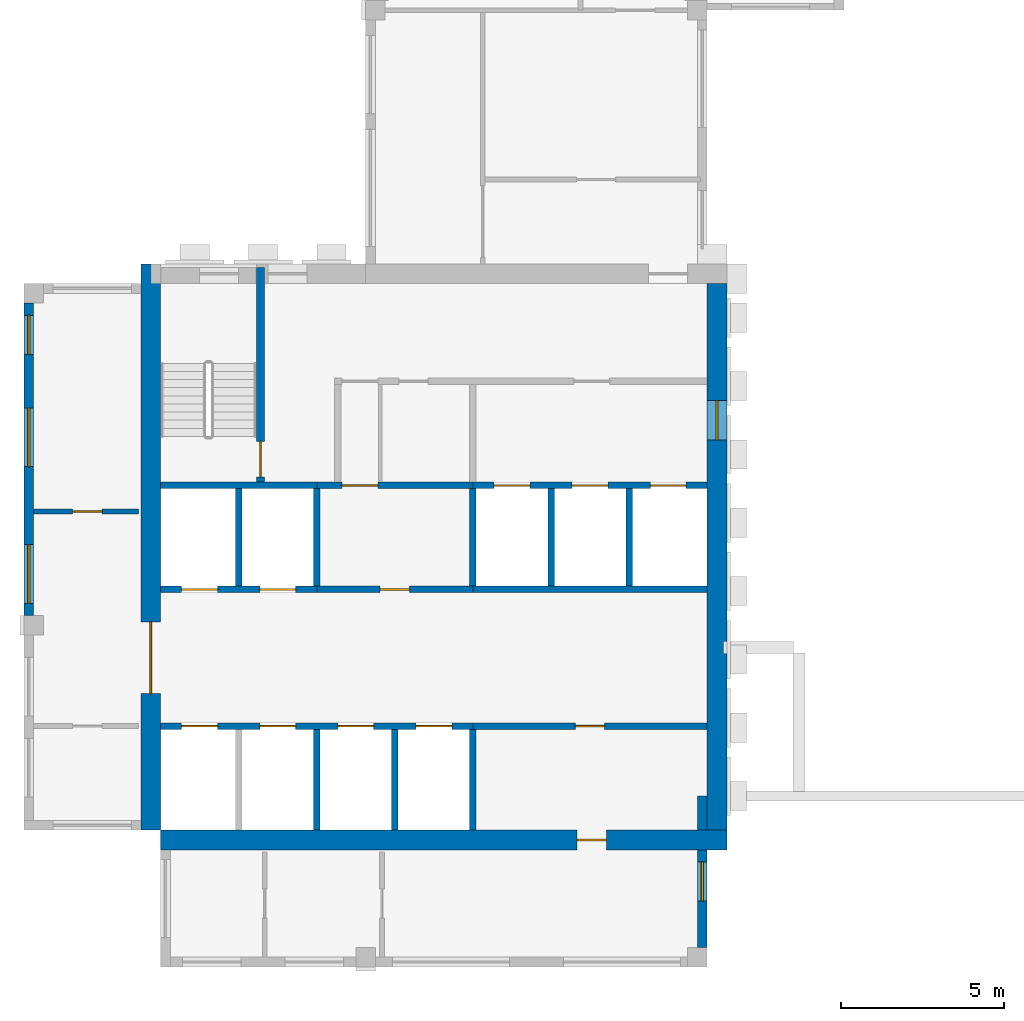
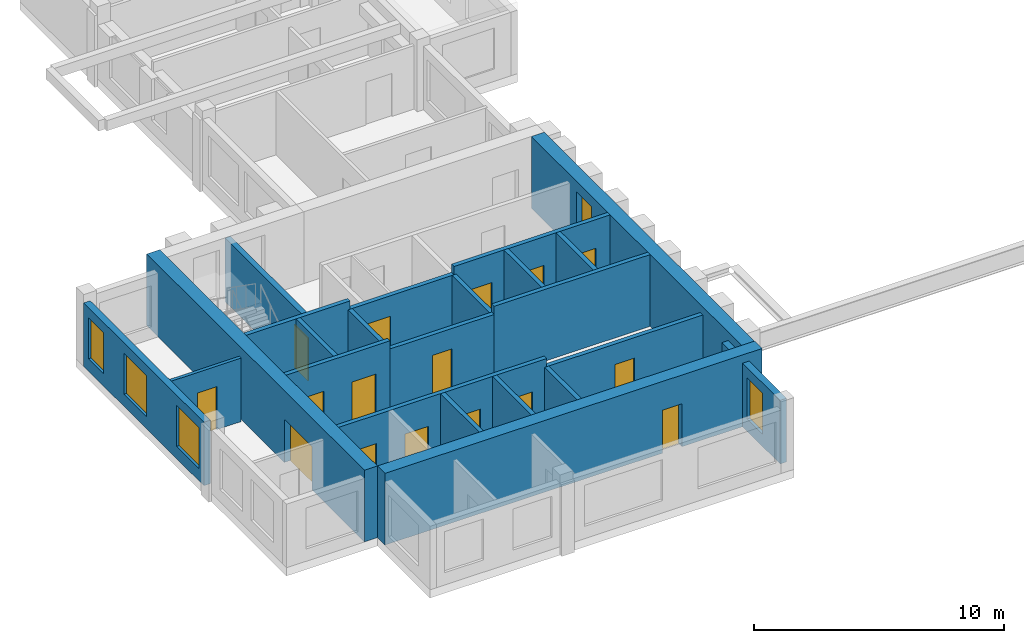
# One storey, part 2 of 8: 24 walls, 16 doors, 5 windows, 21 openings.
"""IFC4 building model written with IfcOpenShell, lengths in metres."""

from ifc_helpers import new_model, si_unit, direction, frame, frame_2d, origin, place, context, subcontext, project, spatial, rectangle, extrude, source, transform, mapped, material, layer, layer_set, type_object, element, fill, save


model = new_model("IFC4")

# Units and contexts
model_context = context("Model", 3, precision=1e-05, world=origin(), true_north=direction((0.0, 1.0)))
body_context = subcontext(model_context, "Body", "Model", "MODEL_VIEW")
ifc_project = project(units=[si_unit("LENGTHUNIT", "METRE"), si_unit("AREAUNIT", "SQUARE_METRE"), si_unit("VOLUMEUNIT", "CUBIC_METRE"), si_unit("PLANEANGLEUNIT", "RADIAN"), si_unit("MASSUNIT", "GRAM", prefix="KILO")], contexts=[model_context])

# Site, building, storey
site_placement = place(None, origin())
site = spatial("IfcSite", under=ifc_project, at=site_placement, CompositionType="ELEMENT")
building_placement = place(site_placement, origin())
building = spatial("IfcBuilding", under=site, at=building_placement, Name="Aurelian Terraces", CompositionType="ELEMENT")
storey_placement = place(building_placement, frame((0.0, 0.0, 344.0)))
storey = spatial("IfcBuildingStorey", under=building, at=storey_placement, Name="L81", CompositionType="ELEMENT", Elevation=344.0)

# Wall, opening, door
ifc_material_1 = material(Name="Concrete fc' 55 MPa", Category="concrete")
ifc_layer_1 = layer(ifc_material_1, 0.6)
ifc_layer_set_1 = layer_set([ifc_layer_1], Name="CORE WALL 600 FC55")
wall_type_1 = type_object("IfcWallType", Name="CORE WALL 600 FC55", PredefinedType="SHEAR", material=ifc_layer_set_1)
shared_shape_1 = source(origin(), body_context, "Body", "SweptSolid", [
    extrude(rectangle(XDim=17.4, YDim=0.6, at=frame_2d((8.7, 0.0))), origin(), (0.0, 0.0, 1.0), 3.5),
])
wall_1_placement = place(storey_placement, frame((3.9, 4.2, 0.0), z_axis=(0.0, 0.0, 1.0), x_axis=(0.0, 1.0, 0.0)))
wall_1 = element("IfcWall", 1, at=wall_1_placement, inside=storey, type_object=wall_type_1, Name="Core wall W L81", PredefinedType="SHEAR", context=body_context, shape_type="MappedRepresentation", body=[
    mapped(shared_shape_1, transform((0.0, 0.0, 0.0), scale=1.0)),
])
shared_shape_2 = source(origin(), body_context, "Body", "SweptSolid", [
    extrude(rectangle(XDim=2.2, YDim=2.1, at=frame_2d((1.1, 1.05))), frame((0.0, 0.31, 0.0), z_axis=(0.0, -1.0, 0.0), x_axis=(1.0, 0.0, 0.0)), (0.0, 0.0, 1.0), 0.62),
])
opening_1_placement = place(wall_1_placement, frame((4.2, 0.0, 0.0)))
opening_1 = element("IfcOpeningElement", 2, at=opening_1_placement, cuts=wall_1, Name="Opening 68420", PredefinedType="OPENING", context=body_context, shape_type="MappedRepresentation", body=[
    mapped(shared_shape_2, transform((0.0, 0.0, 0.0), scale=1.0)),
])
ifc_material_2 = material(Name="Steel door leaf", Category="steel")
door_type_1 = type_object("IfcDoorType", Name="Core double door 2200x2100", OperationType="DOUBLE_DOOR_SINGLE_SWING", PredefinedType="DOOR", material=ifc_material_2)
shared_shape_3 = source(origin(), body_context, "Body", "SweptSolid", [
    extrude(rectangle(XDim=2.2, YDim=2.1, at=frame_2d((1.1, 1.05))), frame((0.0, 0.025, 0.0), z_axis=(0.0, -1.0, 0.0), x_axis=(1.0, 0.0, 0.0)), (0.0, 0.0, 1.0), 0.05),
])
door_1_placement = place(opening_1_placement, origin())
door_1 = element("IfcDoor", 3, at=door_1_placement, inside=storey, type_object=door_type_1, Name="Core door 68420", OperationType="DOUBLE_DOOR_SINGLE_SWING", OverallHeight=2.1, OverallWidth=2.2, PredefinedType="DOOR", context=body_context, shape_type="MappedRepresentation", body=[
    mapped(shared_shape_3, transform((0.0, 0.0, 0.0), scale=1.0)),
])
fill(opening_1, door_1)

wall_2_placement = place(storey_placement, frame((4.2, 3.9, 0.0), z_axis=(0.0, 0.0, 1.0), x_axis=(1.0, 0.0, 0.0)))
wall_2 = element("IfcWall", 4, at=wall_2_placement, inside=storey, type_object=wall_type_1, Name="Core wall S L81", PredefinedType="SHEAR", context=body_context, shape_type="MappedRepresentation", body=[
    mapped(shared_shape_1, transform((0.0, 0.0, 0.0), scale=1.0)),
])
shared_shape_4 = source(origin(), body_context, "Body", "SweptSolid", [
    extrude(rectangle(XDim=0.9, YDim=2.1, at=frame_2d((0.45, 1.05))), frame((0.0, 0.31, 0.0), z_axis=(0.0, -1.0, 0.0), x_axis=(1.0, 0.0, 0.0)), (0.0, 0.0, 1.0), 0.62),
])
opening_2_placement = place(wall_2_placement, frame((12.8, 0.0, 0.0)))
opening_2 = element("IfcOpeningElement", 5, at=opening_2_placement, cuts=wall_2, Name="Opening 68422", PredefinedType="OPENING", context=body_context, shape_type="MappedRepresentation", body=[
    mapped(shared_shape_4, transform((0.0, 0.0, 0.0), scale=1.0)),
])
door_type_2 = type_object("IfcDoorType", Name="Core service door 900x2100", OperationType="SINGLE_SWING_LEFT", PredefinedType="DOOR", material=ifc_material_2)
shared_shape_5 = source(origin(), body_context, "Body", "SweptSolid", [
    extrude(rectangle(XDim=0.9, YDim=2.1, at=frame_2d((0.45, 1.05))), frame((0.0, 0.025, 0.0), z_axis=(0.0, -1.0, 0.0), x_axis=(1.0, 0.0, 0.0)), (0.0, 0.0, 1.0), 0.05),
])
door_2_placement = place(opening_2_placement, origin())
door_2 = element("IfcDoor", 6, at=door_2_placement, inside=storey, type_object=door_type_2, Name="Core door 68422", OperationType="SINGLE_SWING_LEFT", OverallHeight=2.1, OverallWidth=0.9, PredefinedType="DOOR", context=body_context, shape_type="MappedRepresentation", body=[
    mapped(shared_shape_5, transform((0.0, 0.0, 0.0), scale=1.0)),
])
fill(opening_2, door_2)

# Wall, opening, window
shared_shape_6 = source(origin(), body_context, "Body", "SweptSolid", [
    extrude(rectangle(XDim=16.8, YDim=0.6, at=frame_2d((8.4, 0.0))), origin(), (0.0, 0.0, 1.0), 3.5),
])
wall_3_placement = place(storey_placement, frame((21.3, 4.2, 0.0), z_axis=(0.0, 0.0, 1.0), x_axis=(0.0, 1.0, 0.0)))
wall_3 = element("IfcWall", 7, at=wall_3_placement, inside=storey, type_object=wall_type_1, Name="Core wall E L81 exposed", PredefinedType="SHEAR", context=body_context, shape_type="MappedRepresentation", body=[
    mapped(shared_shape_6, transform((0.0, 0.0, 0.0), scale=1.0)),
])
shared_shape_7 = source(origin(), body_context, "Body", "SweptSolid", [
    extrude(rectangle(XDim=1.2, YDim=2.4, at=frame_2d((0.6, 1.2))), frame((0.0, 0.31, 0.0), z_axis=(0.0, -1.0, 0.0), x_axis=(1.0, 0.0, 0.0)), (0.0, 0.0, 1.0), 0.62),
])
opening_3_placement = place(wall_3_placement, frame((12.0, 0.0, 0.6)))
opening_3 = element("IfcOpeningElement", 8, at=opening_3_placement, cuts=wall_3, Name="Opening W-CL", PredefinedType="OPENING", context=body_context, shape_type="MappedRepresentation", body=[
    mapped(shared_shape_7, transform((0.0, 0.0, 0.0), scale=1.0)),
])
ifc_material_3 = material(Name="Fire-resisting glazing", Category="glass")
window_type_1 = type_object("IfcWindowType", Name="Core lobby window 1200x2400", PartitioningType="SINGLE_PANEL", PredefinedType="WINDOW", material=ifc_material_3)
shared_shape_8 = source(origin(), body_context, "Body", "SweptSolid", [
    extrude(rectangle(XDim=1.2, YDim=2.4, at=frame_2d((0.6, 1.2))), frame((0.0, 0.03, 0.0), z_axis=(0.0, -1.0, 0.0), x_axis=(1.0, 0.0, 0.0)), (0.0, 0.0, 1.0), 0.06),
])
window_1_placement = place(opening_3_placement, origin())
window_1 = element("IfcWindow", 9, at=window_1_placement, inside=storey, type_object=window_type_1, Name="Lobby window L81 E52", OverallHeight=2.4, OverallWidth=1.2, PartitioningType="SINGLE_PANEL", PredefinedType="WINDOW", context=body_context, shape_type="MappedRepresentation", body=[
    mapped(shared_shape_8, transform((0.0, 0.0, 0.0), scale=1.0)),
])
fill(opening_3, window_1)

# Wall
ifc_material_4 = material(Name="Terracotta rainscreen cladding", Category="masonry")
ifc_layer_2 = layer(ifc_material_4, 0.3)
ifc_layer_set_2 = layer_set([ifc_layer_2], Name="EW-300")
wall_type_2 = type_object("IfcWallType", Name="EW-300", PredefinedType="STANDARD", material=ifc_layer_set_2)
shared_shape_9 = source(origin(), body_context, "Body", "SweptSolid", [
    extrude(rectangle(XDim=1.05, YDim=0.3, at=frame_2d((0.525, 0.0))), origin(), (0.0, 0.0, 1.0), 3.1),
])
wall_4_placement = place(storey_placement, frame((20.85, 4.2, 0.0), z_axis=(0.0, 0.0, 1.0), x_axis=(0.0, 1.0, 0.0)))
element("IfcWall", 10, at=wall_4_placement, inside=storey, type_object=wall_type_2, Name="External wall L81 F02.3", PredefinedType="STANDARD", context=body_context, shape_type="MappedRepresentation", body=[
    mapped(shared_shape_9, transform((0.0, 0.0, 0.0), scale=1.0)),
])

# Wall, opening, window
shared_shape_10 = source(origin(), body_context, "Body", "SweptSolid", [
    extrude(rectangle(XDim=3.0, YDim=0.3, at=frame_2d((1.5, 0.0))), origin(), (0.0, 0.0, 1.0), 3.1),
])
wall_5_placement = place(storey_placement, frame((20.85, 0.6, 0.0), z_axis=(0.0, 0.0, 1.0), x_axis=(0.0, 1.0, 0.0)))
wall_5 = element("IfcWall", 11, at=wall_5_placement, inside=storey, type_object=wall_type_2, Name="External wall L81 F02.3", PredefinedType="STANDARD", context=body_context, shape_type="MappedRepresentation", body=[
    mapped(shared_shape_10, transform((0.0, 0.0, 0.0), scale=1.0)),
])
shared_shape_11 = source(origin(), body_context, "Body", "SweptSolid", [
    extrude(rectangle(XDim=1.2, YDim=2.0, at=frame_2d((0.6, 1.0))), frame((0.0, 0.16, 0.0), z_axis=(0.0, -1.0, 0.0), x_axis=(1.0, 0.0, 0.0)), (0.0, 0.0, 1.0), 0.32),
])
opening_4_placement = place(wall_5_placement, frame((1.425, 0.0, 0.6)))
opening_4 = element("IfcOpeningElement", 12, at=opening_4_placement, cuts=wall_5, Name="Opening W1220", PredefinedType="OPENING", context=body_context, shape_type="MappedRepresentation", body=[
    mapped(shared_shape_11, transform((0.0, 0.0, 0.0), scale=1.0)),
])
ifc_material_5 = material(Name="Clear glazing", Category="glass")
window_type_2 = type_object("IfcWindowType", Name="W-1200x2000", PartitioningType="SINGLE_PANEL", PredefinedType="WINDOW", material=ifc_material_5)
shared_shape_12 = source(origin(), body_context, "Body", "SweptSolid", [
    extrude(rectangle(XDim=1.2, YDim=2.0, at=frame_2d((0.6, 1.0))), frame((0.0, 0.03, 0.0), z_axis=(0.0, -1.0, 0.0), x_axis=(1.0, 0.0, 0.0)), (0.0, 0.0, 1.0), 0.06),
])
window_2_placement = place(opening_4_placement, origin())
window_2 = element("IfcWindow", 13, at=window_2_placement, inside=storey, type_object=window_type_2, Name="Window L81 L81-F02-03-0", OverallHeight=2.0, OverallWidth=1.2, PartitioningType="SINGLE_PANEL", PredefinedType="WINDOW", context=body_context, shape_type="MappedRepresentation", body=[
    mapped(shared_shape_12, transform((0.0, 0.0, 0.0), scale=1.0)),
])
fill(opening_4, window_2)

# Wall, openings, windows
shared_shape_13 = source(origin(), body_context, "Body", "SweptSolid", [
    extrude(rectangle(XDim=9.6, YDim=0.3, at=frame_2d((4.8, 0.0))), origin(), (0.0, 0.0, 1.0), 3.1),
])
wall_6_placement = place(storey_placement, frame((0.15, 20.4, 0.0), z_axis=(0.0, 0.0, 1.0), x_axis=(0.0, -1.0, 0.0)))
wall_6 = element("IfcWall", 14, at=wall_6_placement, inside=storey, type_object=wall_type_2, Name="External wall L81 F10.16", PredefinedType="STANDARD", context=body_context, shape_type="MappedRepresentation", body=[
    mapped(shared_shape_13, transform((0.0, 0.0, 0.0), scale=1.0)),
])
opening_5_placement = place(wall_6_placement, frame((0.375, 0.0, 0.6)))
opening_5 = element("IfcOpeningElement", 15, at=opening_5_placement, cuts=wall_6, Name="Opening W1220", PredefinedType="OPENING", context=body_context, shape_type="MappedRepresentation", body=[
    mapped(shared_shape_11, transform((0.0, 0.0, 0.0), scale=1.0)),
])
shared_shape_14 = source(origin(), body_context, "Body", "SweptSolid", [
    extrude(rectangle(XDim=1.8, YDim=2.0, at=frame_2d((0.9, 1.0))), frame((0.0, 0.16, 0.0), z_axis=(0.0, -1.0, 0.0), x_axis=(1.0, 0.0, 0.0)), (0.0, 0.0, 1.0), 0.32),
])
opening_6_placement = place(wall_6_placement, frame((3.225, 0.0, 0.6)))
opening_6 = element("IfcOpeningElement", 16, at=opening_6_placement, cuts=wall_6, Name="Opening W1820", PredefinedType="OPENING", context=body_context, shape_type="MappedRepresentation", body=[
    mapped(shared_shape_14, transform((0.0, 0.0, 0.0), scale=1.0)),
])
opening_7_placement = place(wall_6_placement, frame((7.425, 0.0, 0.6)))
opening_7 = element("IfcOpeningElement", 17, at=opening_7_placement, cuts=wall_6, Name="Opening W1820", PredefinedType="OPENING", context=body_context, shape_type="MappedRepresentation", body=[
    mapped(shared_shape_14, transform((0.0, 0.0, 0.0), scale=1.0)),
])
window_3_placement = place(opening_5_placement, origin())
window_3 = element("IfcWindow", 18, at=window_3_placement, inside=storey, type_object=window_type_2, Name="Window L81 L81-F10-16-0", OverallHeight=2.0, OverallWidth=1.2, PartitioningType="SINGLE_PANEL", PredefinedType="WINDOW", context=body_context, shape_type="MappedRepresentation", body=[
    mapped(shared_shape_12, transform((0.0, 0.0, 0.0), scale=1.0)),
])
fill(opening_5, window_3)
window_type_3 = type_object("IfcWindowType", Name="W-1800x2000", PartitioningType="SINGLE_PANEL", PredefinedType="WINDOW", material=ifc_material_5)
shared_shape_15 = source(origin(), body_context, "Body", "SweptSolid", [
    extrude(rectangle(XDim=1.8, YDim=2.0, at=frame_2d((0.9, 1.0))), frame((0.0, 0.03, 0.0), z_axis=(0.0, -1.0, 0.0), x_axis=(1.0, 0.0, 0.0)), (0.0, 0.0, 1.0), 0.06),
])
window_4_placement = place(opening_6_placement, origin())
window_4 = element("IfcWindow", 19, at=window_4_placement, inside=storey, type_object=window_type_3, Name="Window L81 L81-F10-16-1", OverallHeight=2.0, OverallWidth=1.8, PartitioningType="SINGLE_PANEL", PredefinedType="WINDOW", context=body_context, shape_type="MappedRepresentation", body=[
    mapped(shared_shape_15, transform((0.0, 0.0, 0.0), scale=1.0)),
])
fill(opening_6, window_4)
window_5_placement = place(opening_7_placement, origin())
window_5 = element("IfcWindow", 20, at=window_5_placement, inside=storey, type_object=window_type_3, Name="Window L81 L81-F10-16-2", OverallHeight=2.0, OverallWidth=1.8, PartitioningType="SINGLE_PANEL", PredefinedType="WINDOW", context=body_context, shape_type="MappedRepresentation", body=[
    mapped(shared_shape_15, transform((0.0, 0.0, 0.0), scale=1.0)),
])
fill(opening_7, window_5)

# Walls
ifc_material_6 = material(Name="Concrete fc' 40 MPa", Category="concrete")
ifc_layer_3 = layer(ifc_material_6, 0.2)
ifc_layer_set_3 = layer_set([ifc_layer_3], Name="Lift shaft wall 200")
wall_type_3 = type_object("IfcWallType", Name="Lift shaft wall 200", PredefinedType="SOLIDWALL", material=ifc_layer_set_3)
shared_shape_16 = source(origin(), body_context, "Body", "SweptSolid", [
    extrude(rectangle(XDim=3.1, YDim=0.2, at=frame_2d((1.55, 0.0))), origin(), (0.0, 0.0, 1.0), 3.5),
])
for number, where, z_axis, x_axis, name in (
    (21, (9.0, 4.2, 0.0), (0.0, 0.0, 1.0), (0.0, 1.0, 0.0), "L81 core wall CD-A2"),
    (22, (11.4, 4.2, 0.0), (0.0, 0.0, 1.0), (0.0, 1.0, 0.0), "L81 core wall CD-A3"),
):
    element("IfcWall", number, at=place(storey_placement, frame(where, z_axis=z_axis, x_axis=x_axis)), inside=storey, type_object=wall_type_3, Name=name, PredefinedType="SOLIDWALL", context=body_context, shape_type="MappedRepresentation", body=[
        mapped(shared_shape_16, transform((0.0, 0.0, 0.0), scale=1.0)),
    ])
shared_shape_17 = source(origin(), body_context, "Body", "SweptSolid", [
    extrude(rectangle(XDim=3.1, YDim=0.2, at=frame_2d((1.55, 0.0))), origin(), (0.0, 0.0, 1.0), 3.1),
])
wall_7_placement = place(storey_placement, frame((13.8, 4.2, 0.0), z_axis=(0.0, 0.0, 1.0), x_axis=(0.0, 1.0, 0.0)))
element("IfcWall", 23, at=wall_7_placement, inside=storey, type_object=wall_type_3, Name="L81 core wall CD-A4", PredefinedType="SOLIDWALL", context=body_context, shape_type="MappedRepresentation", body=[
    mapped(shared_shape_17, transform((0.0, 0.0, 0.0), scale=1.0)),
])
shared_shape_18 = source(origin(), body_context, "Body", "SweptSolid", [
    extrude(rectangle(XDim=3.0, YDim=0.2, at=frame_2d((1.5, 0.0))), origin(), (0.0, 0.0, 1.0), 3.1),
])
for number, where, z_axis, x_axis, name in (
    (24, (9.0, 11.7, 0.0), (0.0, 0.0, 1.0), (0.0, 1.0, 0.0), "L81 core wall CD-B2"),
    (25, (13.8, 11.7, 0.0), (0.0, 0.0, 1.0), (0.0, 1.0, 0.0), "L81 core wall CD-B4"),
):
    element("IfcWall", number, at=place(storey_placement, frame(where, z_axis=z_axis, x_axis=x_axis)), inside=storey, type_object=wall_type_3, Name=name, PredefinedType="SOLIDWALL", context=body_context, shape_type="MappedRepresentation", body=[
        mapped(shared_shape_18, transform((0.0, 0.0, 0.0), scale=1.0)),
    ])
shared_shape_19 = source(origin(), body_context, "Body", "SweptSolid", [
    extrude(rectangle(XDim=3.0, YDim=0.2, at=frame_2d((1.5, 0.0))), origin(), (0.0, 0.0, 1.0), 3.5),
])
for number, where, z_axis, x_axis, name in (
    (26, (6.6, 11.7, 0.0), (0.0, 0.0, 1.0), (0.0, 1.0, 0.0), "L81 core wall CD-B1"),
    (27, (16.2, 11.7, 0.0), (0.0, 0.0, 1.0), (0.0, 1.0, 0.0), "L81 core wall CD-B5"),
    (28, (18.6, 11.7, 0.0), (0.0, 0.0, 1.0), (0.0, 1.0, 0.0), "L81 core wall CD-B6"),
):
    element("IfcWall", number, at=place(storey_placement, frame(where, z_axis=z_axis, x_axis=x_axis)), inside=storey, type_object=wall_type_3, Name=name, PredefinedType="SOLIDWALL", context=body_context, shape_type="MappedRepresentation", body=[
        mapped(shared_shape_19, transform((0.0, 0.0, 0.0), scale=1.0)),
    ])

# Wall, openings, doors
shared_shape_20 = source(origin(), body_context, "Body", "SweptSolid", [
    extrude(rectangle(XDim=4.8, YDim=0.2, at=frame_2d((2.4, 0.0))), origin(), (0.0, 0.0, 1.0), 3.5),
])
wall_8_placement = place(storey_placement, frame((4.2, 11.6, 0.0), z_axis=(0.0, 0.0, 1.0), x_axis=(1.0, 0.0, 0.0)))
wall_8 = element("IfcWall", 29, at=wall_8_placement, inside=storey, type_object=wall_type_3, Name="L81 core wall CF-BF1", PredefinedType="SOLIDWALL", context=body_context, shape_type="MappedRepresentation", body=[
    mapped(shared_shape_20, transform((0.0, 0.0, 0.0), scale=1.0)),
])
shared_shape_21 = source(origin(), body_context, "Body", "SweptSolid", [
    extrude(rectangle(XDim=1.1, YDim=2.1, at=frame_2d((0.55, 1.05))), frame((0.0, 0.11, 0.0), z_axis=(0.0, -1.0, 0.0), x_axis=(1.0, 0.0, 0.0)), (0.0, 0.0, 1.0), 0.22),
])
opening_8_placement = place(wall_8_placement, frame((0.65, 0.0, 0.0)))
opening_8 = element("IfcOpeningElement", 30, at=opening_8_placement, cuts=wall_8, Name="Opening 68405", PredefinedType="OPENING", context=body_context, shape_type="MappedRepresentation", body=[
    mapped(shared_shape_21, transform((0.0, 0.0, 0.0), scale=1.0)),
])
opening_9_placement = place(wall_8_placement, frame((3.05, 0.0, 0.0)))
opening_9 = element("IfcOpeningElement", 31, at=opening_9_placement, cuts=wall_8, Name="Opening 68406", PredefinedType="OPENING", context=body_context, shape_type="MappedRepresentation", body=[
    mapped(shared_shape_21, transform((0.0, 0.0, 0.0), scale=1.0)),
])
ifc_material_7 = material(Name="Stainless steel", Category="steel")
door_type_3 = type_object("IfcDoorType", Name="Lift landing door 1100x2100", OperationType="SLIDING_TO_LEFT", PredefinedType="DOOR", material=ifc_material_7)
shared_shape_22 = source(origin(), body_context, "Body", "SweptSolid", [
    extrude(rectangle(XDim=1.1, YDim=2.1, at=frame_2d((0.55, 1.05))), frame((0.0, 0.025, 0.0), z_axis=(0.0, -1.0, 0.0), x_axis=(1.0, 0.0, 0.0)), (0.0, 0.0, 1.0), 0.05),
])
door_3_placement = place(opening_8_placement, origin())
door_3 = element("IfcDoor", 32, at=door_3_placement, inside=storey, type_object=door_type_3, Name="Lift landing door LH5 L81", OperationType="SLIDING_TO_LEFT", OverallHeight=2.1, OverallWidth=1.1, PredefinedType="DOOR", context=body_context, shape_type="MappedRepresentation", body=[
    mapped(shared_shape_22, transform((0.0, 0.0, 0.0), scale=1.0)),
])
fill(opening_8, door_3)
door_4_placement = place(opening_9_placement, origin())
door_4 = element("IfcDoor", 33, at=door_4_placement, inside=storey, type_object=door_type_3, Name="Lift landing door LH6 L81", OperationType="SLIDING_TO_LEFT", OverallHeight=2.1, OverallWidth=1.1, PredefinedType="DOOR", context=body_context, shape_type="MappedRepresentation", body=[
    mapped(shared_shape_22, transform((0.0, 0.0, 0.0), scale=1.0)),
])
fill(opening_9, door_4)

# Wall
wall_9_placement = place(storey_placement, frame((4.2, 14.8, 0.0), z_axis=(0.0, 0.0, 1.0), x_axis=(1.0, 0.0, 0.0)))
element("IfcWall", 34, at=wall_9_placement, inside=storey, type_object=wall_type_3, Name="L81 core wall CF-BB1", PredefinedType="SOLIDWALL", context=body_context, shape_type="MappedRepresentation", body=[
    mapped(shared_shape_20, transform((0.0, 0.0, 0.0), scale=1.0)),
])

# Wall, opening, door
shared_shape_23 = source(origin(), body_context, "Body", "SweptSolid", [
    extrude(rectangle(XDim=4.8, YDim=0.2, at=frame_2d((2.4, 0.0))), origin(), (0.0, 0.0, 1.0), 3.1),
])
wall_10_placement = place(storey_placement, frame((9.0, 11.6, 0.0), z_axis=(0.0, 0.0, 1.0), x_axis=(1.0, 0.0, 0.0)))
wall_10 = element("IfcWall", 35, at=wall_10_placement, inside=storey, type_object=wall_type_3, Name="L81 core wall CF-BF2", PredefinedType="SOLIDWALL", context=body_context, shape_type="MappedRepresentation", body=[
    mapped(shared_shape_23, transform((0.0, 0.0, 0.0), scale=1.0)),
])
shared_shape_24 = source(origin(), body_context, "Body", "SweptSolid", [
    extrude(rectangle(XDim=0.9, YDim=2.1, at=frame_2d((0.45, 1.05))), frame((0.0, 0.11, 0.0), z_axis=(0.0, -1.0, 0.0), x_axis=(1.0, 0.0, 0.0)), (0.0, 0.0, 1.0), 0.22),
])
opening_10_placement = place(wall_10_placement, frame((1.95, 0.0, 0.0)))
opening_10 = element("IfcOpeningElement", 36, at=opening_10_placement, cuts=wall_10, Name="Opening 68407", PredefinedType="OPENING", context=body_context, shape_type="MappedRepresentation", body=[
    mapped(shared_shape_24, transform((0.0, 0.0, 0.0), scale=1.0)),
])
door_type_4 = type_object("IfcDoorType", Name="Core service door 900x2100 right", OperationType="SINGLE_SWING_RIGHT", PredefinedType="DOOR", material=ifc_material_2)
door_5_placement = place(opening_10_placement, origin())
door_5 = element("IfcDoor", 37, at=door_5_placement, inside=storey, type_object=door_type_4, Name="Room door 68407", OperationType="SINGLE_SWING_RIGHT", OverallHeight=2.1, OverallWidth=0.9, PredefinedType="DOOR", context=body_context, shape_type="MappedRepresentation", body=[
    mapped(shared_shape_5, transform((0.0, 0.0, 0.0), scale=1.0)),
])
fill(opening_10, door_5)

wall_11_placement = place(storey_placement, frame((9.0, 14.8, 0.0), z_axis=(0.0, 0.0, 1.0), x_axis=(1.0, 0.0, 0.0)))
wall_11 = element("IfcWall", 38, at=wall_11_placement, inside=storey, type_object=wall_type_3, Name="L81 core wall CF-BB2", PredefinedType="SOLIDWALL", context=body_context, shape_type="MappedRepresentation", body=[
    mapped(shared_shape_23, transform((0.0, 0.0, 0.0), scale=1.0)),
])
opening_11_placement = place(wall_11_placement, frame((0.775, 0.0, 0.0)))
opening_11 = element("IfcOpeningElement", 39, at=opening_11_placement, cuts=wall_11, Name="Opening 68408", PredefinedType="OPENING", context=body_context, shape_type="MappedRepresentation", body=[
    mapped(shared_shape_21, transform((0.0, 0.0, 0.0), scale=1.0)),
])
door_type_5 = type_object("IfcDoorType", Name="Core fire door 1100x2100", OperationType="SINGLE_SWING_LEFT", PredefinedType="DOOR", material=ifc_material_2)
door_6_placement = place(opening_11_placement, origin())
door_6 = element("IfcDoor", 40, at=door_6_placement, inside=storey, type_object=door_type_5, Name="Room door 68408", OperationType="SINGLE_SWING_LEFT", OverallHeight=2.1, OverallWidth=1.1, PredefinedType="DOOR", context=body_context, shape_type="MappedRepresentation", body=[
    mapped(shared_shape_22, transform((0.0, 0.0, 0.0), scale=1.0)),
])
fill(opening_11, door_6)

# Wall
shared_shape_25 = source(origin(), body_context, "Body", "SweptSolid", [
    extrude(rectangle(XDim=7.2, YDim=0.2, at=frame_2d((3.6, 0.0))), origin(), (0.0, 0.0, 1.0), 3.5),
])
wall_12_placement = place(storey_placement, frame((13.8, 11.6, 0.0), z_axis=(0.0, 0.0, 1.0), x_axis=(1.0, 0.0, 0.0)))
element("IfcWall", 41, at=wall_12_placement, inside=storey, type_object=wall_type_3, Name="L81 core wall CF-BF3", PredefinedType="SOLIDWALL", context=body_context, shape_type="MappedRepresentation", body=[
    mapped(shared_shape_25, transform((0.0, 0.0, 0.0), scale=1.0)),
])

# Wall, openings, doors
wall_13_placement = place(storey_placement, frame((13.8, 14.8, 0.0), z_axis=(0.0, 0.0, 1.0), x_axis=(1.0, 0.0, 0.0)))
wall_13 = element("IfcWall", 42, at=wall_13_placement, inside=storey, type_object=wall_type_3, Name="L81 core wall CF-BB3", PredefinedType="SOLIDWALL", context=body_context, shape_type="MappedRepresentation", body=[
    mapped(shared_shape_25, transform((0.0, 0.0, 0.0), scale=1.0)),
])
opening_12_placement = place(wall_13_placement, frame((0.65, 0.0, 0.0)))
opening_12 = element("IfcOpeningElement", 43, at=opening_12_placement, cuts=wall_13, Name="Opening 68409", PredefinedType="OPENING", context=body_context, shape_type="MappedRepresentation", body=[
    mapped(shared_shape_21, transform((0.0, 0.0, 0.0), scale=1.0)),
])
opening_13_placement = place(wall_13_placement, frame((3.05, 0.0, 0.0)))
opening_13 = element("IfcOpeningElement", 44, at=opening_13_placement, cuts=wall_13, Name="Opening 68410", PredefinedType="OPENING", context=body_context, shape_type="MappedRepresentation", body=[
    mapped(shared_shape_21, transform((0.0, 0.0, 0.0), scale=1.0)),
])
opening_14_placement = place(wall_13_placement, frame((5.45, 0.0, 0.0)))
opening_14 = element("IfcOpeningElement", 45, at=opening_14_placement, cuts=wall_13, Name="Opening 68411", PredefinedType="OPENING", context=body_context, shape_type="MappedRepresentation", body=[
    mapped(shared_shape_21, transform((0.0, 0.0, 0.0), scale=1.0)),
])
door_7_placement = place(opening_12_placement, origin())
door_7 = element("IfcDoor", 46, at=door_7_placement, inside=storey, type_object=door_type_3, Name="Lift landing door F1 L81", OperationType="SLIDING_TO_LEFT", OverallHeight=2.1, OverallWidth=1.1, PredefinedType="DOOR", context=body_context, shape_type="MappedRepresentation", body=[
    mapped(shared_shape_22, transform((0.0, 0.0, 0.0), scale=1.0)),
])
fill(opening_12, door_7)
door_8_placement = place(opening_13_placement, origin())
door_8 = element("IfcDoor", 47, at=door_8_placement, inside=storey, type_object=door_type_3, Name="Lift landing door F2 L81", OperationType="SLIDING_TO_LEFT", OverallHeight=2.1, OverallWidth=1.1, PredefinedType="DOOR", context=body_context, shape_type="MappedRepresentation", body=[
    mapped(shared_shape_22, transform((0.0, 0.0, 0.0), scale=1.0)),
])
fill(opening_13, door_8)
door_9_placement = place(opening_14_placement, origin())
door_9 = element("IfcDoor", 48, at=door_9_placement, inside=storey, type_object=door_type_3, Name="Lift landing door F3 L81", OperationType="SLIDING_TO_LEFT", OverallHeight=2.1, OverallWidth=1.1, PredefinedType="DOOR", context=body_context, shape_type="MappedRepresentation", body=[
    mapped(shared_shape_22, transform((0.0, 0.0, 0.0), scale=1.0)),
])
fill(opening_14, door_9)

shared_shape_26 = source(origin(), body_context, "Body", "SweptSolid", [
    extrude(rectangle(XDim=9.6, YDim=0.2, at=frame_2d((4.8, 0.0))), origin(), (0.0, 0.0, 1.0), 3.5),
])
wall_14_placement = place(storey_placement, frame((4.2, 7.4, 0.0), z_axis=(0.0, 0.0, 1.0), x_axis=(1.0, 0.0, 0.0)))
wall_14 = element("IfcWall", 49, at=wall_14_placement, inside=storey, type_object=wall_type_3, Name="L81 core wall CF-AF1", PredefinedType="SOLIDWALL", context=body_context, shape_type="MappedRepresentation", body=[
    mapped(shared_shape_26, transform((0.0, 0.0, 0.0), scale=1.0)),
])
opening_15_placement = place(wall_14_placement, frame((0.65, 0.0, 0.0)))
opening_15 = element("IfcOpeningElement", 50, at=opening_15_placement, cuts=wall_14, Name="Opening 68400", PredefinedType="OPENING", context=body_context, shape_type="MappedRepresentation", body=[
    mapped(shared_shape_21, transform((0.0, 0.0, 0.0), scale=1.0)),
])
opening_16_placement = place(wall_14_placement, frame((3.05, 0.0, 0.0)))
opening_16 = element("IfcOpeningElement", 51, at=opening_16_placement, cuts=wall_14, Name="Opening 68401", PredefinedType="OPENING", context=body_context, shape_type="MappedRepresentation", body=[
    mapped(shared_shape_21, transform((0.0, 0.0, 0.0), scale=1.0)),
])
opening_17_placement = place(wall_14_placement, frame((5.45, 0.0, 0.0)))
opening_17 = element("IfcOpeningElement", 52, at=opening_17_placement, cuts=wall_14, Name="Opening 68402", PredefinedType="OPENING", context=body_context, shape_type="MappedRepresentation", body=[
    mapped(shared_shape_21, transform((0.0, 0.0, 0.0), scale=1.0)),
])
opening_18_placement = place(wall_14_placement, frame((7.85, 0.0, 0.0)))
opening_18 = element("IfcOpeningElement", 53, at=opening_18_placement, cuts=wall_14, Name="Opening 68403", PredefinedType="OPENING", context=body_context, shape_type="MappedRepresentation", body=[
    mapped(shared_shape_21, transform((0.0, 0.0, 0.0), scale=1.0)),
])
door_10_placement = place(opening_15_placement, origin())
door_10 = element("IfcDoor", 54, at=door_10_placement, inside=storey, type_object=door_type_3, Name="Lift landing door LH1 L81", OperationType="SLIDING_TO_LEFT", OverallHeight=2.1, OverallWidth=1.1, PredefinedType="DOOR", context=body_context, shape_type="MappedRepresentation", body=[
    mapped(shared_shape_22, transform((0.0, 0.0, 0.0), scale=1.0)),
])
fill(opening_15, door_10)
door_11_placement = place(opening_16_placement, origin())
door_11 = element("IfcDoor", 55, at=door_11_placement, inside=storey, type_object=door_type_3, Name="Lift landing door LH2 L81", OperationType="SLIDING_TO_LEFT", OverallHeight=2.1, OverallWidth=1.1, PredefinedType="DOOR", context=body_context, shape_type="MappedRepresentation", body=[
    mapped(shared_shape_22, transform((0.0, 0.0, 0.0), scale=1.0)),
])
fill(opening_16, door_11)
door_12_placement = place(opening_17_placement, origin())
door_12 = element("IfcDoor", 56, at=door_12_placement, inside=storey, type_object=door_type_3, Name="Lift landing door LH3 L81", OperationType="SLIDING_TO_LEFT", OverallHeight=2.1, OverallWidth=1.1, PredefinedType="DOOR", context=body_context, shape_type="MappedRepresentation", body=[
    mapped(shared_shape_22, transform((0.0, 0.0, 0.0), scale=1.0)),
])
fill(opening_17, door_12)
door_13_placement = place(opening_18_placement, origin())
door_13 = element("IfcDoor", 57, at=door_13_placement, inside=storey, type_object=door_type_3, Name="Lift landing door LH4 L81", OperationType="SLIDING_TO_LEFT", OverallHeight=2.1, OverallWidth=1.1, PredefinedType="DOOR", context=body_context, shape_type="MappedRepresentation", body=[
    mapped(shared_shape_22, transform((0.0, 0.0, 0.0), scale=1.0)),
])
fill(opening_18, door_13)

# Wall, opening, door
shared_shape_27 = source(origin(), body_context, "Body", "SweptSolid", [
    extrude(rectangle(XDim=7.2, YDim=0.2, at=frame_2d((3.6, 0.0))), origin(), (0.0, 0.0, 1.0), 3.1),
])
wall_15_placement = place(storey_placement, frame((13.8, 7.4, 0.0), z_axis=(0.0, 0.0, 1.0), x_axis=(1.0, 0.0, 0.0)))
wall_15 = element("IfcWall", 58, at=wall_15_placement, inside=storey, type_object=wall_type_3, Name="L81 core wall CF-AF2", PredefinedType="SOLIDWALL", context=body_context, shape_type="MappedRepresentation", body=[
    mapped(shared_shape_27, transform((0.0, 0.0, 0.0), scale=1.0)),
])
opening_19_placement = place(wall_15_placement, frame((3.15, 0.0, 0.0)))
opening_19 = element("IfcOpeningElement", 59, at=opening_19_placement, cuts=wall_15, Name="Opening 68404", PredefinedType="OPENING", context=body_context, shape_type="MappedRepresentation", body=[
    mapped(shared_shape_24, transform((0.0, 0.0, 0.0), scale=1.0)),
])
door_14_placement = place(opening_19_placement, origin())
door_14 = element("IfcDoor", 60, at=door_14_placement, inside=storey, type_object=door_type_2, Name="Room door 68404", OperationType="SINGLE_SWING_LEFT", OverallHeight=2.1, OverallWidth=0.9, PredefinedType="DOOR", context=body_context, shape_type="MappedRepresentation", body=[
    mapped(shared_shape_5, transform((0.0, 0.0, 0.0), scale=1.0)),
])
fill(opening_19, door_14)

ifc_layer_4 = layer(ifc_material_6, 0.25)
ifc_layer_set_4 = layer_set([ifc_layer_4], Name="Stair enclosure wall 250")
wall_type_4 = type_object("IfcWallType", Name="Stair enclosure wall 250", PredefinedType="SOLIDWALL", material=ifc_layer_set_4)
shared_shape_28 = source(origin(), body_context, "Body", "SweptSolid", [
    extrude(rectangle(XDim=6.6, YDim=0.25, at=frame_2d((3.3, 0.0))), origin(), (0.0, 0.0, 1.0), 3.1),
])
wall_16_placement = place(storey_placement, frame((7.275, 14.9, 0.0), z_axis=(0.0, 0.0, 1.0), x_axis=(0.0, 1.0, 0.0)))
wall_16 = element("IfcWall", 61, at=wall_16_placement, inside=storey, type_object=wall_type_4, Name="L81 core wall ST-S1-E", PredefinedType="SOLIDWALL", context=body_context, shape_type="MappedRepresentation", body=[
    mapped(shared_shape_28, transform((0.0, 0.0, 0.0), scale=1.0)),
])
shared_shape_29 = source(origin(), body_context, "Body", "SweptSolid", [
    extrude(rectangle(XDim=1.1, YDim=2.1, at=frame_2d((0.55, 1.05))), frame((0.0, 0.135, 0.0), z_axis=(0.0, -1.0, 0.0), x_axis=(1.0, 0.0, 0.0)), (0.0, 0.0, 1.0), 0.27),
])
opening_20_placement = place(wall_16_placement, frame((0.15, 0.0, 0.0)))
opening_20 = element("IfcOpeningElement", 62, at=opening_20_placement, cuts=wall_16, Name="Opening 68412", PredefinedType="OPENING", context=body_context, shape_type="MappedRepresentation", body=[
    mapped(shared_shape_29, transform((0.0, 0.0, 0.0), scale=1.0)),
])
door_15_placement = place(opening_20_placement, origin())
door_15 = element("IfcDoor", 63, at=door_15_placement, inside=storey, type_object=door_type_5, Name="Stair door 68412", OperationType="SINGLE_SWING_LEFT", OverallHeight=2.1, OverallWidth=1.1, PredefinedType="DOOR", context=body_context, shape_type="MappedRepresentation", body=[
    mapped(shared_shape_22, transform((0.0, 0.0, 0.0), scale=1.0)),
])
fill(opening_20, door_15)

ifc_material_8 = material(Name="Gypsum board on steel studs", Category="steel")
ifc_layer_5 = layer(ifc_material_8, 0.15)
ifc_layer_set_5 = layer_set([ifc_layer_5], Name="Partition 150")
wall_type_5 = type_object("IfcWallType", Name="Partition 150", PredefinedType="PARTITIONING", material=ifc_layer_set_5)
shared_shape_30 = source(origin(), body_context, "Body", "SweptSolid", [
    extrude(rectangle(XDim=3.225, YDim=0.15, at=frame_2d((1.6125, 0.0))), origin(), (0.0, 0.0, 1.0), 3.1),
])
wall_17_placement = place(storey_placement, frame((0.3, 14.0, 0.0), z_axis=(0.0, 0.0, 1.0), x_axis=(1.0, 0.0, 0.0)))
wall_17 = element("IfcWall", 64, at=wall_17_placement, inside=storey, type_object=wall_type_5, Name="Partition", PredefinedType="PARTITIONING", context=body_context, shape_type="MappedRepresentation", body=[
    mapped(shared_shape_30, transform((0.0, 0.0, 0.0), scale=1.0)),
])
shared_shape_31 = source(origin(), body_context, "Body", "SweptSolid", [
    extrude(rectangle(XDim=0.9, YDim=2.1, at=frame_2d((0.45, 1.05))), frame((0.0, 0.085, 0.0), z_axis=(0.0, -1.0, 0.0), x_axis=(1.0, 0.0, 0.0)), (0.0, 0.0, 1.0), 0.17),
])
opening_21_placement = place(wall_17_placement, frame((1.2, 0.0, 0.0)))
opening_21 = element("IfcOpeningElement", 65, at=opening_21_placement, cuts=wall_17, Name="Opening 781004", PredefinedType="OPENING", context=body_context, shape_type="MappedRepresentation", body=[
    mapped(shared_shape_31, transform((0.0, 0.0, 0.0), scale=1.0)),
])
ifc_material_9 = material(Name="Timber door leaf", Category="wood")
door_type_6 = type_object("IfcDoorType", Name="Room door 900x2100 right", OperationType="SINGLE_SWING_RIGHT", PredefinedType="DOOR", material=ifc_material_9)
door_16_placement = place(opening_21_placement, origin())
door_16 = element("IfcDoor", 66, at=door_16_placement, inside=storey, type_object=door_type_6, Name="Door 781004", OperationType="SINGLE_SWING_RIGHT", OverallHeight=2.1, OverallWidth=0.9, PredefinedType="DOOR", context=body_context, shape_type="MappedRepresentation", body=[
    mapped(shared_shape_5, transform((0.0, 0.0, 0.0), scale=1.0)),
])
fill(opening_21, door_16)

save(model, "model.ifc")
